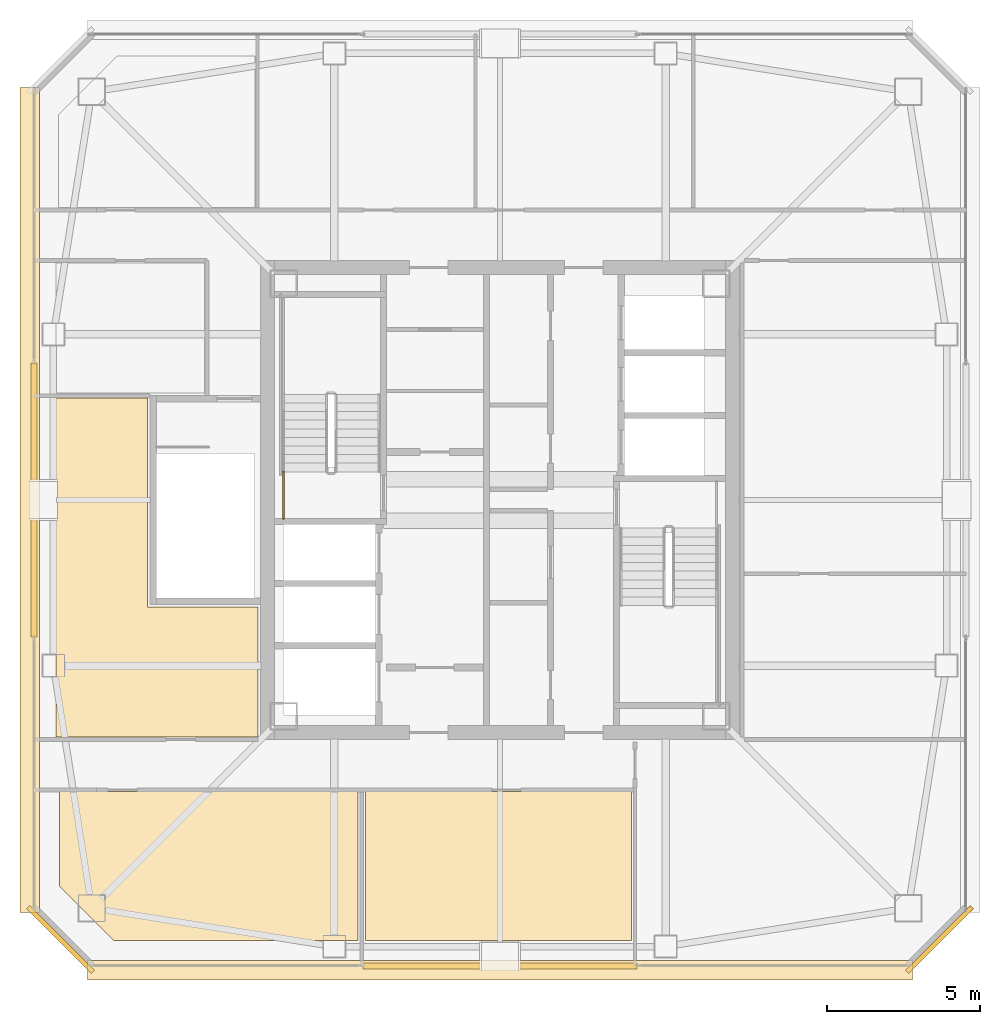
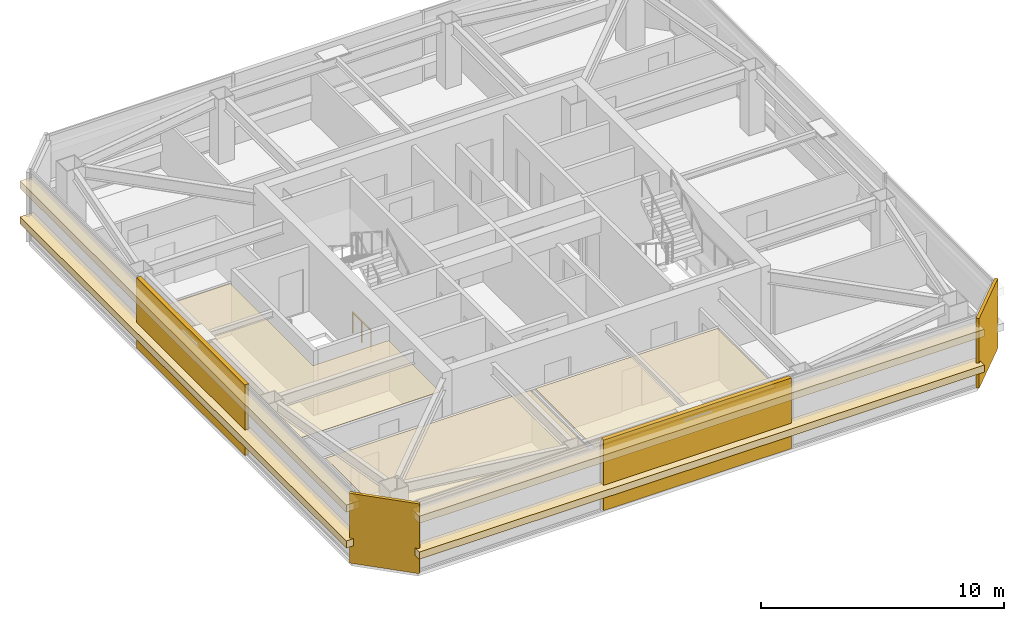
# One storey, part 16 of 18: 11 coverings, 1 railing.
"""IFC4 building model written with IfcOpenShell, lengths in metres."""

from ifc_helpers import new_model, si_unit, direction, frame, origin, origin_2d, place, context, subcontext, project, spatial, polyline, rectangle, outline, extrude, material, layer, layer_set, type_object, element, save


model = new_model("IFC4")

# Units and contexts
model_context = context("Model", 3, precision=1e-05, world=origin(), true_north=direction((0.0, 1.0)))
body_context = subcontext(model_context, "Body", "Model", "MODEL_VIEW")
ifc_project = project(units=[si_unit("LENGTHUNIT", "METRE"), si_unit("AREAUNIT", "SQUARE_METRE"), si_unit("VOLUMEUNIT", "CUBIC_METRE"), si_unit("PLANEANGLEUNIT", "RADIAN"), si_unit("MASSUNIT", "GRAM", prefix="KILO")], contexts=[model_context])

# Site, building, storey
site_placement = place(None, origin())
site = spatial("IfcSite", under=ifc_project, at=site_placement, CompositionType="ELEMENT")
building_placement = place(site_placement, origin())
building = spatial("IfcBuilding", under=site, at=building_placement, Name="Tashvorn Skyway Center", CompositionType="ELEMENT")
storey_placement = place(building_placement, frame((0.0, 0.0, 274.050048828125)))
storey = spatial("IfcBuildingStorey", under=building, at=storey_placement, Name="L74", CompositionType="ELEMENT", Elevation=274.050048828125)

# Coverings
ifc_material_1 = material(Name="Precast concrete C40/50", Category="concrete")
ifc_layer_1 = layer(ifc_material_1, 0.199951171875)
ifc_layer_set_1 = layer_set([ifc_layer_1], Name="Precast concrete C40/50")
covering_type_1 = type_object("IfcCoveringType", Name="COV-BRACE-CLAD", PredefinedType="CLADDING", material=ifc_layer_set_1)
for number, where, z_axis, x_axis, name in (
    (1, (42.0, 16.820068359375, 0.0), (0.0, 0.0, 1.0), (-1.0, 0.0, 0.0), "Tower 1 L74 South Unitised Curtain Wall Mega-Brace Cladding Band 1"),
    (2, (26.820068359375, 32.0, 0.0), (0.0, 0.0, 1.0), (0.0, 1.0, 0.0), "Tower 1 L74 West Unitised Curtain Wall Mega-Brace Cladding Band 1"),
):
    element("IfcCovering", number, at=place(storey_placement, frame(where, z_axis=z_axis, x_axis=x_axis)), inside=storey, type_object=covering_type_1, Name=name, PredefinedType="CLADDING", context=body_context, shape_type="SweptSolid", body=[
        extrude(rectangle(XDim=8.919921875, YDim=0.199951171875, at=origin_2d()), origin(), (0.0, 0.0, 1.0), 3.550048828125),
    ])
ifc_material_2 = material(Name="Mineral-fibre acoustic ceiling tile on suspended grid")
ifc_layer_2 = layer(ifc_material_2, 0.02001953125)
ifc_layer_set_2 = layer_set([ifc_layer_2], Name="Mineral-fibre acoustic ceiling tile on suspended grid")
covering_type_2 = type_object("IfcCoveringType", Name="COV-CEIL-20", PredefinedType="CEILING", material=ifc_layer_set_2)
covering_1_placement = place(storey_placement, frame((0.0, 0.0, 2.5830078125)))
element("IfcCovering", 3, at=covering_1_placement, inside=storey, type_object=covering_type_2, Name="Tower 1 L74 Gallery Showroom Acoustic Ceiling", PredefinedType="CEILING", context=body_context, shape_type="SweptSolid", body=[
    extrude(outline(polyline([(27.64990234375, 22.510009765625), (37.3798828125, 22.510009765625), (37.3798828125, 17.64990234375), (29.409912109375, 17.64990234375), (27.64990234375, 19.409912109375), (27.64990234375, 22.510009765625)])), origin(), (0.0, 0.0, 1.0), 0.02001953125),
])
covering_2_placement = place(storey_placement, frame((0.0, 0.0, 2.5830078125)))
element("IfcCovering", 4, at=covering_2_placement, inside=storey, type_object=covering_type_2, Name="Tower 1 L74 Catering Pantry Acoustic Ceiling", PredefinedType="CEILING", context=body_context, shape_type="SweptSolid", body=[
    extrude(outline(polyline([(37.6201171875, 22.510009765625), (46.280029296875, 22.510009765625), (46.280029296875, 17.64990234375), (37.6201171875, 17.64990234375), (37.6201171875, 22.510009765625)])), origin(), (0.0, 0.0, 1.0), 0.02001953125),
])
covering_3_placement = place(storey_placement, frame((0.0, 0.0, 2.5830078125)))
element("IfcCovering", 5, at=covering_3_placement, inside=storey, type_object=covering_type_2, Name="Tower 1 L74 Public Restroom Acoustic Ceiling", PredefinedType="CEILING", context=body_context, shape_type="SweptSolid", body=[
    extrude(outline(polyline([(34.1201171875, 24.280029296875), (27.530029296875, 24.280029296875), (27.530029296875, 28.52001953125), (27.530029296875, 35.320068359375), (30.52001953125, 35.320068359375), (30.52001953125, 28.52001953125), (34.1201171875, 28.52001953125), (34.1201171875, 24.280029296875)])), origin(), (0.0, 0.0, 1.0), 0.02001953125),
])
ifc_material_3 = material(Name="Perforated ceramic-coated bronze aluminium solar screen", Category="aluminium")
ifc_layer_3 = layer(ifc_material_3, 0.85009765625)
ifc_layer_set_3 = layer_set([ifc_layer_3], Name="Perforated ceramic-coated bronze aluminium solar screen")
covering_type_3 = type_object("IfcCoveringType", Name="COV-SOLAR-BAND", PredefinedType="CLADDING", material=ifc_layer_set_3)
for number, where, z_axis, x_axis, name in (
    (6, (42.0, 16.679931640625, 0.919921875), (0.0, 0.0, 1.0), (-1.0, 0.0, 0.0), "L74 Perforated Ceramic-Metal Solar Screen Louvre Band South 1"),
    (7, (42.0, 16.679931640625, 2.7197265625), (0.0, 0.0, 1.0), (-1.0, 0.0, 0.0), "L74 Perforated Ceramic-Metal Solar Screen Louvre Band South 2"),
    (8, (26.679931640625, 32.0, 0.919921875), (0.0, 0.0, 1.0), (0.0, 1.0, 0.0), "L74 Perforated Ceramic-Metal Solar Screen Louvre Band West 1"),
    (9, (26.679931640625, 32.0, 2.7197265625), (0.0, 0.0, 1.0), (0.0, 1.0, 0.0), "L74 Perforated Ceramic-Metal Solar Screen Louvre Band West 2"),
):
    element("IfcCovering", number, at=place(storey_placement, frame(where, z_axis=z_axis, x_axis=x_axis)), inside=storey, type_object=covering_type_3, Name=name, PredefinedType="CLADDING", context=body_context, shape_type="SweptSolid", body=[
        extrude(rectangle(XDim=26.8798828125, YDim=0.639892578125, at=origin_2d()), origin(), (0.0, 0.0, 1.0), 0.360107421875),
    ])
ifc_layer_4 = layer(ifc_material_1, 0.35009765625)
ifc_layer_set_4 = layer_set([ifc_layer_4], Name="Precast concrete C40/50")
covering_type_4 = type_object("IfcCoveringType", Name="COV-STONE-TRIM", PredefinedType="CLADDING", material=ifc_layer_set_4)
for number, where, z_axis, x_axis, name in (
    (10, (27.679931640625, 17.679931640625, 0.02001953125), (0.0, 0.0, 1.0), (-0.707106781187, 0.707106781187, 0.0), "Tower 1 L74 SW Mojave Limestone Corner Quoin"),
    (11, (56.320068359375, 17.679931640625, 0.02001953125), (0.0, 0.0, 1.0), (0.707106781187, 0.707106781187, 0.0), "Tower 1 L74 SE Mojave Limestone Corner Quoin"),
):
    element("IfcCovering", number, at=place(storey_placement, frame(where, z_axis=z_axis, x_axis=x_axis)), inside=storey, type_object=covering_type_4, Name=name, PredefinedType="CLADDING", context=body_context, shape_type="SweptSolid", body=[
        extrude(rectangle(XDim=2.98828125, YDim=0.139892578125, at=origin_2d()), origin(), (0.0, 0.0, 1.0), 3.510009765625),
    ])

# Railing
ifc_material_4 = material(Name="Painted galvanized steel S355", Category="steel")
railing_type = type_object("IfcRailingType", Name="RAIL-STGUARD-1100", PredefinedType="GUARDRAIL", material=ifc_material_4)
railing_placement = place(storey_placement, frame((34.949951171875, 31.39990234375, 0.0)))
element("IfcRailing", 12, at=railing_placement, inside=storey, type_object=railing_type, Name="L74 ST-T1-1 stair guard 6", PredefinedType="GUARDRAIL", context=body_context, shape_type="SweptSolid", body=[
    extrude(rectangle(XDim=0.048095703125, YDim=0.048095703125, at=origin_2d()), frame((0.0, 0.0, 1.076171875), z_axis=(0.0, 1.0, 0.0), x_axis=(-1.0, 0.0, 0.0)), (0.0, 0.0, 1.0), 1.52001953125),
    extrude(rectangle(XDim=0.0419921875, YDim=0.0419921875, at=origin_2d()), origin(), (0.0, 0.0, 1.0), 1.052001953125),
    extrude(rectangle(XDim=0.0419921875, YDim=0.0419921875, at=origin_2d()), frame((0.0, 0.760009765625, 0.0)), (0.0, 0.0, 1.0), 1.052001953125),
    extrude(rectangle(XDim=0.0419921875, YDim=0.0419921875, at=origin_2d()), frame((0.0, 1.52001953125, 0.0)), (0.0, 0.0, 1.0), 1.052001953125),
])

save(model, "model.ifc")
